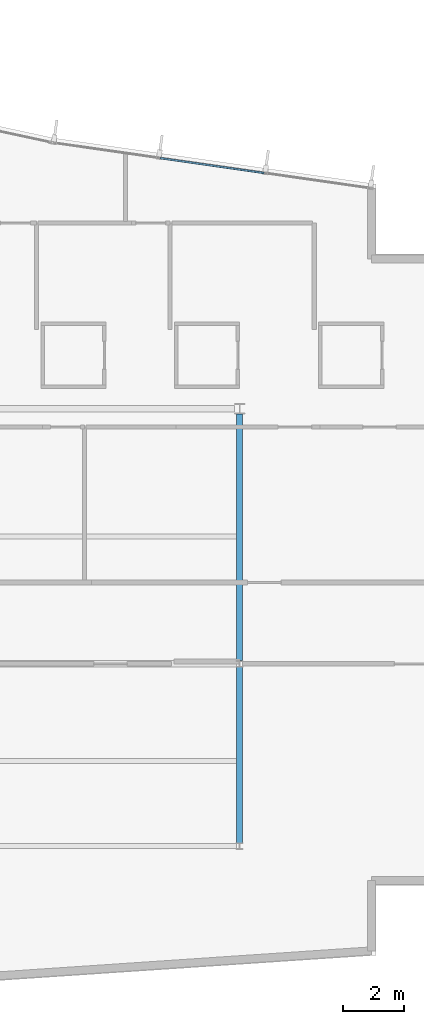
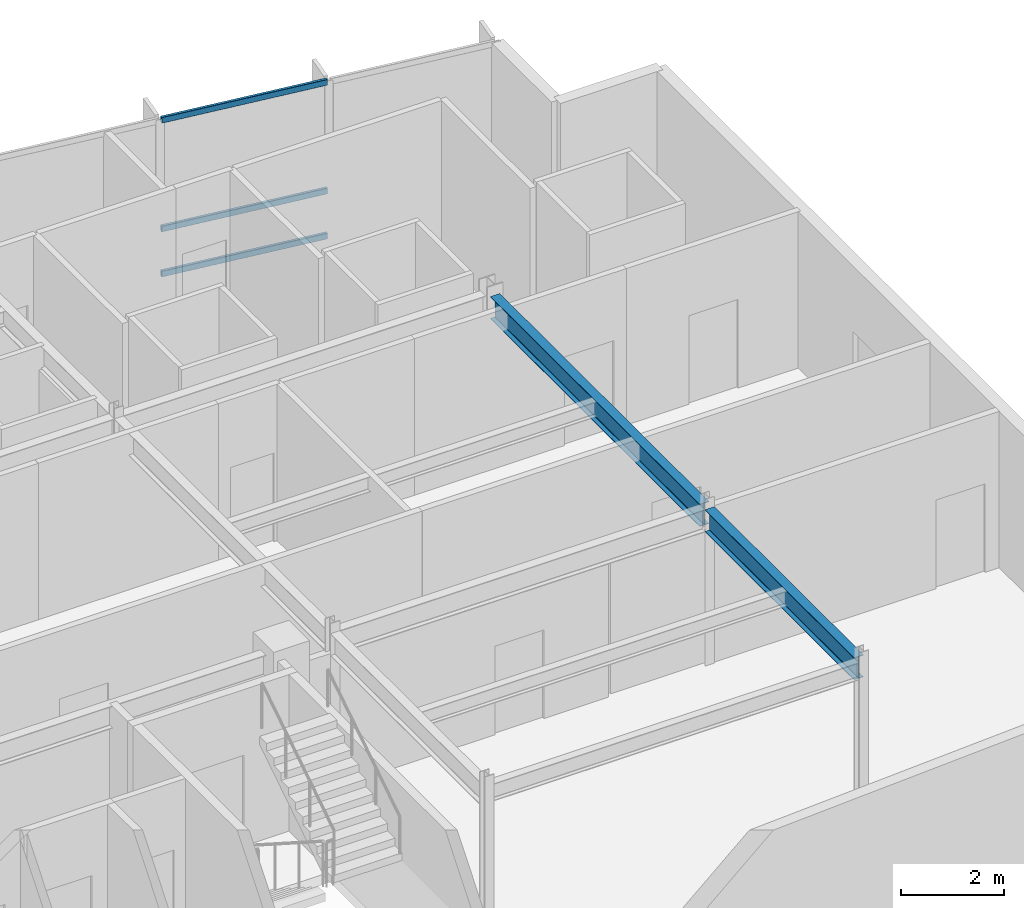
# One storey, part 7 of 16: 3 members, 2 beams, 1 element without a shape of its own.
"""IFC4 building model written with IfcOpenShell, lengths in metres."""

from ifc_helpers import new_model, si_unit, direction, frame, origin, origin_2d, place, context, subcontext, project, spatial, hollow_rectangle, i_section, extrude, material, layer, layer_set, material_profile, profile_set, type_object, element, aggregate, save


model = new_model("IFC4")

# Units and contexts
model_context = context("Model", 3, precision=1e-05, world=origin(), true_north=direction((0.0, 1.0)))
body_context = subcontext(model_context, "Body", "Model", "MODEL_VIEW")
ifc_project = project(units=[si_unit("LENGTHUNIT", "METRE"), si_unit("AREAUNIT", "SQUARE_METRE"), si_unit("VOLUMEUNIT", "CUBIC_METRE"), si_unit("PLANEANGLEUNIT", "RADIAN"), si_unit("MASSUNIT", "GRAM", prefix="KILO")], contexts=[model_context])

# Site, building, storey
site_placement = place(None, origin())
site = spatial("IfcSite", under=ifc_project, at=site_placement, CompositionType="ELEMENT")
building_placement = place(site_placement, origin())
building = spatial("IfcBuilding", under=site, at=building_placement, Name="Varnakote Quay Hospital", CompositionType="ELEMENT")
storey_placement = place(building_placement, frame((0.0, 0.0, 292.10009765625)))
storey = spatial("IfcBuildingStorey", under=building, at=storey_placement, Name="L72", CompositionType="ELEMENT", Elevation=292.10009765625)

# Beams
ifc_material_1 = material(Name="Structural steel AS/NZS 3679.1 Grade 350 L0 (fy 340 MPa)", Category="steel")
ifc_material_profile_1 = material_profile(ifc_material_1, i_section(OverallWidth=0.208984375, OverallDepth=0.528076171875, WebThickness=0.009521484375, FlangeThickness=0.01318359375, FilletRadius=0.013916015625, at=origin_2d()), Name="530UB82.0")
ifc_profile_set_1 = profile_set([ifc_material_profile_1], Name="Structural steel AS/NZS 3679.1 Grade 350 L0 (fy 340 MPa)")
beam_type = type_object("IfcBeamType", Name="BM-STL-530UB82-0", PredefinedType="BEAM", material=ifc_profile_set_1)
beam_1_placement = place(storey_placement, frame((33.60009765625, 6.10498046875, 3.44580078125), z_axis=(0.0, 1.0, 0.0), x_axis=(-1.0, 0.0, 0.0)))
element("IfcBeam", 1, at=beam_1_placement, inside=storey, type_object=beam_type, Name="L72 Primary Tie Beam", PredefinedType="BEAM", context=body_context, shape_type="SweptSolid", body=[
    extrude(i_section(OverallWidth=0.208984375, OverallDepth=0.528076171875, WebThickness=0.009521484375, FlangeThickness=0.01318359375, FilletRadius=0.013916015625, at=origin_2d()), origin(), (0.0, 0.0, 1.0), 5.7900390625),
])
beam_2_placement = place(storey_placement, frame((33.60009765625, 12.10498046875, 3.44580078125), z_axis=(0.0, 1.0, 0.0), x_axis=(-1.0, 0.0, 0.0)))
element("IfcBeam", 2, at=beam_2_placement, inside=storey, type_object=beam_type, Name="L72 Primary Tie Beam", PredefinedType="BEAM", context=body_context, shape_type="SweptSolid", body=[
    extrude(i_section(OverallWidth=0.208984375, OverallDepth=0.528076171875, WebThickness=0.009521484375, FlangeThickness=0.01318359375, FilletRadius=0.013916015625, at=origin_2d()), origin(), (0.0, 0.0, 1.0), 8.125),
])

# Curtain wall, members
ifc_material_2 = material(Name="Anodised aluminium 6063-T6 Bronze", Category="aluminium")
ifc_layer = layer(ifc_material_2, 0.235107421875)
ifc_layer_set = layer_set([ifc_layer], Name="Anodised aluminium 6063-T6 Bronze")
curtain_wall_type = type_object("IfcCurtainWallType", Name="CW-SYS-5", PredefinedType="NOTDEFINED", material=ifc_layer_set)
curtain_wall_placement = place(storey_placement, origin())
curtain_wall = element("IfcCurtainWall", 3, at=curtain_wall_placement, inside=storey, type_object=curtain_wall_type, Name="L72 Unitised Bronze Curtain Wall 1", PredefinedType="NOTDEFINED")
ifc_material_3 = material(Name="Anodised aluminium 6063-T6 Bronze", Category="aluminium")
ifc_material_profile_2 = material_profile(ifc_material_3, hollow_rectangle(XDim=0.06494140625, YDim=0.139892578125, WallThickness=0.00390625, InnerFilletRadius=0.00390625, OuterFilletRadius=0.007568359375, at=origin_2d()), Name="CW-TRAN-140x65")
ifc_profile_set_2 = profile_set([ifc_material_profile_2], Name="Anodised aluminium 6063-T6 Bronze")
member_type = type_object("IfcMemberType", Name="CW-TRAN-140x65", PredefinedType="USERDEFINED", material=ifc_profile_set_2)
member_1_placement = place(storey_placement, frame((34.4091796875, 28.166259765625, 0.032470703125), z_axis=(-0.989926963581, 0.141578977163, 0.0), x_axis=(-0.141578977163, -0.989926963581, 0.0)))
member_1 = element("IfcMember", 4, at=member_1_placement, type_object=member_type, Name="-5-L72-1 transom 2.1", ObjectType="TRANSOM", PredefinedType="USERDEFINED", context=body_context, shape_type="SweptSolid", body=[
    extrude(hollow_rectangle(XDim=0.06494140625, YDim=0.139892578125, WallThickness=0.00390625, InnerFilletRadius=0.00390625, OuterFilletRadius=0.007568359375, at=origin_2d()), origin(), (0.0, 0.0, 1.0), 3.469482421875),
])
member_2_placement = place(storey_placement, frame((34.4091796875, 28.166259765625, 1.099853515625), z_axis=(-0.989926963581, 0.141578977163, 0.0), x_axis=(-0.141578977163, -0.989926963581, 0.0)))
member_2 = element("IfcMember", 5, at=member_2_placement, type_object=member_type, Name="-5-L72-1 transom 2.2", ObjectType="TRANSOM", PredefinedType="USERDEFINED", context=body_context, shape_type="SweptSolid", body=[
    extrude(hollow_rectangle(XDim=0.06494140625, YDim=0.139892578125, WallThickness=0.00390625, InnerFilletRadius=0.00390625, OuterFilletRadius=0.007568359375, at=origin_2d()), origin(), (0.0, 0.0, 1.0), 3.469482421875),
])
member_3_placement = place(storey_placement, frame((34.4091796875, 28.166259765625, 3.677490234375), z_axis=(-0.989926963581, 0.141578977163, 0.0), x_axis=(-0.141578977163, -0.989926963581, 0.0)))
member_3 = element("IfcMember", 6, at=member_3_placement, type_object=member_type, Name="-5-L72-1 transom 2.3", ObjectType="TRANSOM", PredefinedType="USERDEFINED", context=body_context, shape_type="SweptSolid", body=[
    extrude(hollow_rectangle(XDim=0.06494140625, YDim=0.139892578125, WallThickness=0.00390625, InnerFilletRadius=0.00390625, OuterFilletRadius=0.007568359375, at=origin_2d()), origin(), (0.0, 0.0, 1.0), 3.469482421875),
])
aggregate(curtain_wall, [member_1, member_2, member_3])

save(model, "model.ifc")
